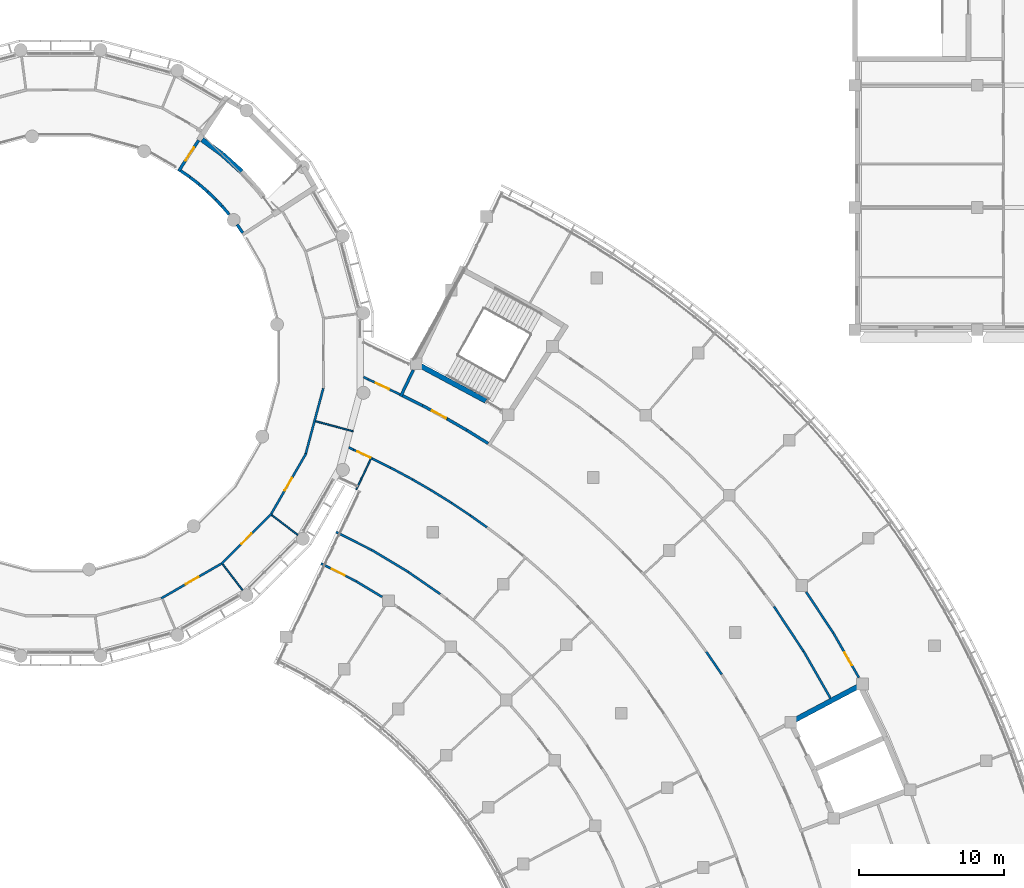
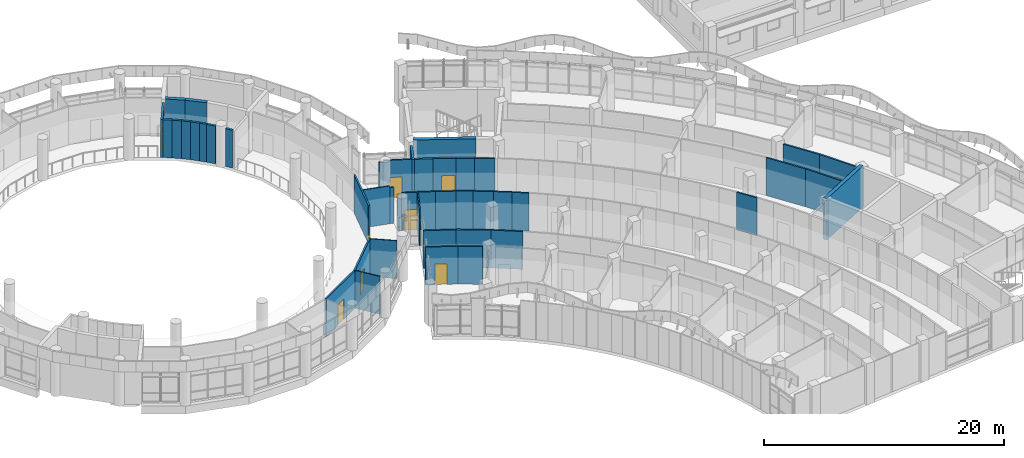
# One storey, part 50 of 109: 46 walls, 9 doors, 9 openings.
"""IFC4 building model written with IfcOpenShell, lengths in metres."""

from ifc_helpers import new_model, si_unit, direction, frame, frame_2d, origin, place, context, subcontext, project, spatial, rectangle, extrude, material, layer, layer_set, type_object, element, fill, save


model = new_model("IFC4")

# Units and contexts
model_context = context("Model", 3, precision=1e-05, world=origin(), true_north=direction((0.0, 1.0)))
body_context = subcontext(model_context, "Body", "Model", "MODEL_VIEW")
ifc_project = project(units=[si_unit("LENGTHUNIT", "METRE"), si_unit("AREAUNIT", "SQUARE_METRE"), si_unit("VOLUMEUNIT", "CUBIC_METRE"), si_unit("PLANEANGLEUNIT", "RADIAN"), si_unit("MASSUNIT", "GRAM", prefix="KILO")], contexts=[model_context])

# Site, building, storey
site_placement = place(None, origin())
site = spatial("IfcSite", under=ifc_project, at=site_placement, CompositionType="ELEMENT")
building_placement = place(site_placement, origin())
building = spatial("IfcBuilding", under=site, at=building_placement, Name="Bougainvillea Quay General Hospital", CompositionType="ELEMENT")
storey_placement = place(building_placement, frame((0.0, 0.0, 12.60009765625)))
storey = spatial("IfcBuildingStorey", under=building, at=storey_placement, Name="L02", CompositionType="ELEMENT", Elevation=12.60009765625)

# Walls
ifc_material_1 = material(Name="Gypsum board partition on steel studs", Category="steel")
ifc_layer_1 = layer(ifc_material_1, 0.10009765625)
ifc_layer_set_1 = layer_set([ifc_layer_1], Name="Gypsum board partition on steel studs")
wall_type_1 = type_object("IfcWallType", Name="Partition 100 Gypsum board partition EI 30", PredefinedType="PARTITIONING", material=ifc_layer_set_1)
for number, where, z_axis, x_axis, name in (
    (1, (123.72607421875, 62.85400390625, 0.0), (0.0, 0.0, 1.0), (0.793303213768, -0.608826749598, 0.0), "Partition 100 mm EI 30"),
    (2, (120.345947265625, 59.473876953125, 0.0), (0.0, 0.0, 1.0), (0.608947804402, -0.793210294635, 0.0), "Partition 100 mm EI 30"),
):
    element("IfcWall", number, at=place(storey_placement, frame(where, z_axis=z_axis, x_axis=x_axis)), inside=storey, type_object=wall_type_1, Name=name, PredefinedType="PARTITIONING", context=body_context, shape_type="SweptSolid", body=[
        extrude(rectangle(XDim=2.2431640625, YDim=0.10009765625, at=frame_2d((1.12158203125, 0.0))), origin(), (0.0, 0.0, 1.0), 3.849853515625),
    ])
wall_1_placement = place(storey_placement, frame((126.728515625, 69.303466796875, 0.0), z_axis=(0.0, 0.0, 1.0), x_axis=(0.965851819381, -0.25909508486, 0.0)))
element("IfcWall", 3, at=wall_1_placement, inside=storey, type_object=wall_type_1, Name="Partition 100 mm EI 30", PredefinedType="PARTITIONING", context=body_context, shape_type="SweptSolid", body=[
    extrude(rectangle(XDim=2.32275390625, YDim=0.10009765625, at=frame_2d((1.161376953125, 0.0))), origin(), (0.0, 0.0, 1.0), 3.849853515625),
])
wall_2_placement = place(storey_placement, frame((128.971923828125, 68.70166015625, 0.0), z_axis=(0.0, 0.0, 1.0), x_axis=(0.965944938819, -0.258747705633, 0.0)))
element("IfcWall", 4, at=wall_2_placement, inside=storey, type_object=wall_type_1, Name="Partition 100 mm EI 30", PredefinedType="PARTITIONING", context=body_context, shape_type="SweptSolid", body=[
    extrude(rectangle(XDim=0.35009765625, YDim=0.10009765625, at=frame_2d((0.175048828125, 0.0))), origin(), (0.0, 0.0, 1.0), 3.677978515625),
])
wall_3_placement = place(storey_placement, frame((129.52001953125, 64.60205078125, 0.0), z_axis=(0.0, 0.0, 1.0), x_axis=(0.430496224864, 0.902592377753, 0.0)))
element("IfcWall", 5, at=wall_3_placement, inside=storey, type_object=wall_type_1, Name="Partition 100 mm EI 30", PredefinedType="PARTITIONING", context=body_context, shape_type="SweptSolid", body=[
    extrude(rectangle(XDim=2.323974609375, YDim=0.10009765625, at=frame_2d((1.162109375, 0.0))), origin(), (0.0, 0.0, 1.0), 3.849853515625),
])

# Wall, opening, door
ifc_material_2 = material(Name="Gypsum board partition on steel studs, insulated", Category="steel")
ifc_layer_2 = layer(ifc_material_2, 0.14990234375)
ifc_layer_set_2 = layer_set([ifc_layer_2], Name="Gypsum board partition on steel studs, insulated")
wall_type_2 = type_object("IfcWallType", Name="Partition 150 Gypsum board partition EI 30", PredefinedType="PARTITIONING", material=ifc_layer_set_2)
wall_4_placement = place(storey_placement, frame((120.242919921875, 59.486083984375, 0.0), z_axis=(0.0, 0.0, 1.0), x_axis=(0.707131648229, 0.70708191327, 0.0)))
wall_4 = element("IfcWall", 6, at=wall_4_placement, inside=storey, type_object=wall_type_2, Name="Partition 150 mm EI 30", PredefinedType="PARTITIONING", context=body_context, shape_type="SweptSolid", body=[
    extrude(rectangle(XDim=4.908935546875, YDim=0.14990234375, at=frame_2d((2.45458984375, 0.0))), origin(), (0.0, 0.0, 1.0), 3.849853515625),
])
opening_1_placement = place(wall_4_placement, frame((1.954345703125, 0.0, 0.0)))
opening_1 = element("IfcOpeningElement", 7, at=opening_1_placement, cuts=wall_4, Name="Opening L02.248", PredefinedType="OPENING", context=body_context, shape_type="SweptSolid", body=[
    extrude(rectangle(XDim=1.0, YDim=2.10009765625, at=frame_2d((0.5, 1.050048828125))), frame((0.0, 0.0849609375, 0.0), z_axis=(0.0, -1.0, 0.0), x_axis=(1.0, 0.0, 0.0)), (0.0, 0.0, 1.0), 0.169921875),
])
ifc_material_3 = material(Name="Solid-core timber door leaf in steel frame", Category="steel")
door_type_1 = type_object("IfcDoorType", Name="Single leaf door 1000x2100 FD30S", OperationType="NOTDEFINED", PredefinedType="DOOR", material=ifc_material_3)
door_1_placement = place(opening_1_placement, frame((1.0, 0.0, 0.0), z_axis=(0.0, 0.0, 1.0), x_axis=(-1.0, 0.0, 0.0)))
door_1 = element("IfcDoor", 8, at=door_1_placement, inside=storey, type_object=door_type_1, Name="DT15 L02.248", OperationType="SINGLE_SWING_LEFT", OverallHeight=2.10009765625, OverallWidth=1.0, PredefinedType="DOOR", context=body_context, shape_type="SweptSolid", body=[
    extrude(rectangle(XDim=1.0, YDim=2.10009765625, at=frame_2d((0.5, 1.050048828125))), frame((0.0, 0.02490234375, 0.0), z_axis=(0.0, -1.0, 0.0), x_axis=(1.0, 0.0, 0.0)), (0.0, 0.0, 1.0), 0.050048828125),
])
fill(opening_1, door_1)

wall_5_placement = place(storey_placement, frame((116.110107421875, 57.12255859375, 0.0), z_axis=(0.0, 0.0, 1.0), x_axis=(0.866054481515, 0.499949632511, 0.0)))
wall_5 = element("IfcWall", 9, at=wall_5_placement, inside=storey, type_object=wall_type_2, Name="Partition 150 mm EI 30", PredefinedType="PARTITIONING", context=body_context, shape_type="SweptSolid", body=[
    extrude(rectangle(XDim=4.775390625, YDim=0.14990234375, at=frame_2d((2.3876953125, 0.0))), origin(), (0.0, 0.0, 1.0), 3.849853515625),
])
opening_2_placement = place(wall_5_placement, frame((1.9541015625, 0.0, 0.0)))
opening_2 = element("IfcOpeningElement", 10, at=opening_2_placement, cuts=wall_5, Name="Opening L02.247", PredefinedType="OPENING", context=body_context, shape_type="SweptSolid", body=[
    extrude(rectangle(XDim=1.0, YDim=2.10009765625, at=frame_2d((0.5, 1.050048828125))), frame((0.0, 0.0849609375, 0.0), z_axis=(0.0, -1.0, 0.0), x_axis=(1.0, 0.0, 0.0)), (0.0, 0.0, 1.0), 0.169921875),
])
door_2_placement = place(opening_2_placement, frame((1.0, 0.0, 0.0), z_axis=(0.0, 0.0, 1.0), x_axis=(-1.0, 0.0, 0.0)))
door_2 = element("IfcDoor", 11, at=door_2_placement, inside=storey, type_object=door_type_1, Name="DT15 L02.247", OperationType="SINGLE_SWING_LEFT", OverallHeight=2.10009765625, OverallWidth=1.0, PredefinedType="DOOR", context=body_context, shape_type="SweptSolid", body=[
    extrude(rectangle(XDim=1.0, YDim=2.10009765625, at=frame_2d((0.5, 1.050048828125))), frame((0.0, 0.02490234375, 0.0), z_axis=(0.0, -1.0, 0.0), x_axis=(1.0, 0.0, 0.0)), (0.0, 0.0, 1.0), 0.050048828125),
])
fill(opening_2, door_2)

wall_6_placement = place(storey_placement, frame((123.68994140625, 62.9541015625, 0.0), z_axis=(0.0, 0.0, 1.0), x_axis=(0.499927497117, 0.866067259297, 0.0)))
wall_6 = element("IfcWall", 12, at=wall_6_placement, inside=storey, type_object=wall_type_2, Name="Partition 150 mm EI 30", PredefinedType="PARTITIONING", context=body_context, shape_type="SweptSolid", body=[
    extrude(rectangle(XDim=4.775634765625, YDim=0.14990234375, at=frame_2d((2.3876953125, 0.0))), origin(), (0.0, 0.0, 1.0), 3.849853515625),
])
opening_3_placement = place(wall_6_placement, frame((1.8212890625, 0.0, 0.0)))
opening_3 = element("IfcOpeningElement", 13, at=opening_3_placement, cuts=wall_6, Name="Opening L02.249", PredefinedType="OPENING", context=body_context, shape_type="SweptSolid", body=[
    extrude(rectangle(XDim=1.0, YDim=2.10009765625, at=frame_2d((0.5, 1.050048828125))), frame((0.0, 0.0849609375, 0.0), z_axis=(0.0, -1.0, 0.0), x_axis=(1.0, 0.0, 0.0)), (0.0, 0.0, 1.0), 0.169921875),
])
door_3_placement = place(opening_3_placement, frame((1.0, 0.0, 0.0), z_axis=(0.0, 0.0, 1.0), x_axis=(-1.0, 0.0, 0.0)))
door_3 = element("IfcDoor", 14, at=door_3_placement, inside=storey, type_object=door_type_1, Name="DT15 L02.249", OperationType="SINGLE_SWING_RIGHT", OverallHeight=2.10009765625, OverallWidth=1.0, PredefinedType="DOOR", context=body_context, shape_type="SweptSolid", body=[
    extrude(rectangle(XDim=1.0, YDim=2.10009765625, at=frame_2d((0.5, 1.050048828125))), frame((0.0, 0.02490234375, 0.0), z_axis=(0.0, -1.0, 0.0), x_axis=(1.0, 0.0, 0.0)), (0.0, 0.0, 1.0), 0.050048828125),
])
fill(opening_3, door_3)

# Wall
wall_7_placement = place(storey_placement, frame((126.054931640625, 67.0810546875, 0.0), z_axis=(0.0, 0.0, 1.0), x_axis=(0.259011275585, 0.965874297784, 0.0)))
element("IfcWall", 15, at=wall_7_placement, inside=storey, type_object=wall_type_2, Name="Partition 150 mm EI 30", PredefinedType="PARTITIONING", context=body_context, shape_type="SweptSolid", body=[
    extrude(rectangle(XDim=4.641357421875, YDim=0.14990234375, at=frame_2d((2.32080078125, 0.0))), origin(), (0.0, 0.0, 1.0), 3.849853515625),
])

# Wall, opening, door
wall_8_placement = place(storey_placement, frame((162.312744140625, 54.758056640625, 0.0), z_axis=(0.0, 0.0, 1.0), x_axis=(0.496582798362, -0.867989357291, 0.0)))
wall_8 = element("IfcWall", 16, at=wall_8_placement, inside=storey, type_object=wall_type_2, Name="Partition 150 mm EI 30", PredefinedType="PARTITIONING", context=body_context, shape_type="SweptSolid", body=[
    extrude(rectangle(XDim=3.553466796875, YDim=0.14990234375, at=frame_2d((1.77685546875, 0.0))), origin(), (0.0, 0.0, 1.0), 3.849853515625),
])
opening_4_placement = place(wall_8_placement, frame((1.56591796875, 0.0, 0.0)))
opening_4 = element("IfcOpeningElement", 17, at=opening_4_placement, cuts=wall_8, Name="Opening L02.224", PredefinedType="OPENING", context=body_context, shape_type="SweptSolid", body=[
    extrude(rectangle(XDim=1.0, YDim=2.10009765625, at=frame_2d((0.5, 1.050048828125))), frame((0.0, 0.0849609375, 0.0), z_axis=(0.0, -1.0, 0.0), x_axis=(1.0, 0.0, 0.0)), (0.0, 0.0, 1.0), 0.169921875),
])
door_4_placement = place(opening_4_placement, origin())
door_4 = element("IfcDoor", 18, at=door_4_placement, inside=storey, type_object=door_type_1, Name="DT15 L02.224", OperationType="SINGLE_SWING_RIGHT", OverallHeight=2.10009765625, OverallWidth=1.0, PredefinedType="DOOR", context=body_context, shape_type="SweptSolid", body=[
    extrude(rectangle(XDim=1.0, YDim=2.10009765625, at=frame_2d((0.5, 1.050048828125))), frame((0.0, 0.02490234375, 0.0), z_axis=(0.0, -1.0, 0.0), x_axis=(1.0, 0.0, 0.0)), (0.0, 0.0, 1.0), 0.050048828125),
])
fill(opening_4, door_4)

# Walls
wall_9_placement = place(storey_placement, frame((160.44775390625, 57.575439453125, 0.0), z_axis=(0.0, 0.0, 1.0), x_axis=(0.550814058929, -0.834627984485, 0.0)))
element("IfcWall", 19, at=wall_9_placement, inside=storey, type_object=wall_type_2, Name="Partition 150 mm EI 30", PredefinedType="PARTITIONING", context=body_context, shape_type="SweptSolid", body=[
    extrude(rectangle(XDim=3.38330078125, YDim=0.14990234375, at=frame_2d((1.691650390625, 0.0))), origin(), (0.0, 0.0, 1.0), 3.849853515625),
])
wall_10_placement = place(storey_placement, frame((160.268798828125, 53.501220703125, 0.0), z_axis=(0.0, 0.0, 1.0), x_axis=(0.496371795626, -0.8681100394, 0.0)))
element("IfcWall", 20, at=wall_10_placement, inside=storey, type_object=wall_type_2, Name="Partition 150 mm EI 30", PredefinedType="PARTITIONING", context=body_context, shape_type="SweptSolid", body=[
    extrude(rectangle(XDim=3.725830078125, YDim=0.14990234375, at=frame_2d((1.86279296875, 0.0))), origin(), (0.0, 0.0, 1.0), 3.849853515625),
])
wall_11_placement = place(storey_placement, frame((158.23583984375, 56.5712890625, 0.0), z_axis=(0.0, 0.0, 1.0), x_axis=(0.550996276136, -0.834507701393, 0.0)))
element("IfcWall", 21, at=wall_11_placement, inside=storey, type_object=wall_type_2, Name="Partition 150 mm EI 30", PredefinedType="PARTITIONING", context=body_context, shape_type="SweptSolid", body=[
    extrude(rectangle(XDim=3.6865234375, YDim=0.14990234375, at=frame_2d((1.84326171875, 0.0))), origin(), (0.0, 0.0, 1.0), 3.849853515625),
])
wall_12_placement = place(storey_placement, frame((130.02001953125, 72.341064453125, 0.0), z_axis=(0.0, 0.0, 1.0), x_axis=(0.902370112598, -0.430961923945, 0.0)))
element("IfcWall", 22, at=wall_12_placement, inside=storey, type_object=wall_type_2, Name="Partition 150 mm EI 30", PredefinedType="PARTITIONING", context=body_context, shape_type="SweptSolid", body=[
    extrude(rectangle(XDim=0.35009765625, YDim=0.14990234375, at=frame_2d((0.175048828125, 0.0))), origin(), (0.0, 0.0, 1.0), 3.677978515625),
])

# Wall, opening, door
wall_13_placement = place(storey_placement, frame((130.3359375, 72.190185546875, 0.0), z_axis=(0.0, 0.0, 1.0), x_axis=(0.902631912759, -0.430413324688, 0.0)))
wall_13 = element("IfcWall", 23, at=wall_13_placement, inside=storey, type_object=wall_type_2, Name="Partition 150 mm EI 30", PredefinedType="PARTITIONING", context=body_context, shape_type="SweptSolid", body=[
    extrude(rectangle(XDim=2.429443359375, YDim=0.14990234375, at=frame_2d((1.21484375, 0.0))), origin(), (0.0, 0.0, 1.0), 3.849853515625),
])
opening_5_placement = place(wall_13_placement, frame((0.59033203125, 0.0, 0.0)))
opening_5 = element("IfcOpeningElement", 24, at=opening_5_placement, cuts=wall_13, Name="Opening L02.237", PredefinedType="OPENING", context=body_context, shape_type="SweptSolid", body=[
    extrude(rectangle(XDim=1.0, YDim=2.10009765625, at=frame_2d((0.5, 1.050048828125))), frame((0.0, 0.0849609375, 0.0), z_axis=(0.0, -1.0, 0.0), x_axis=(1.0, 0.0, 0.0)), (0.0, 0.0, 1.0), 0.169921875),
])
door_5_placement = place(opening_5_placement, origin())
door_5 = element("IfcDoor", 25, at=door_5_placement, inside=storey, type_object=door_type_1, Name="DT15 L02.237", OperationType="SINGLE_SWING_LEFT", OverallHeight=2.10009765625, OverallWidth=1.0, PredefinedType="DOOR", context=body_context, shape_type="SweptSolid", body=[
    extrude(rectangle(XDim=1.0, YDim=2.10009765625, at=frame_2d((0.5, 1.050048828125))), frame((0.0, 0.02490234375, 0.0), z_axis=(0.0, -1.0, 0.0), x_axis=(1.0, 0.0, 0.0)), (0.0, 0.0, 1.0), 0.050048828125),
])
fill(opening_5, door_5)

# Walls
wall_14_placement = place(storey_placement, frame((130.57177734375, 60.463623046875, 0.0), z_axis=(0.0, 0.0, 1.0), x_axis=(0.857369075188, -0.514702116676, 0.0)))
element("IfcWall", 26, at=wall_14_placement, inside=storey, type_object=wall_type_2, Name="Partition 150 mm EI 30", PredefinedType="PARTITIONING", context=body_context, shape_type="SweptSolid", body=[
    extrude(rectangle(XDim=2.95751953125, YDim=0.14990234375, at=frame_2d((1.478759765625, 0.0))), origin(), (0.0, 0.0, 1.0), 3.849853515625),
])
wall_15_placement = place(storey_placement, frame((133.100830078125, 58.93994140625, 0.0), z_axis=(0.0, 0.0, 1.0), x_axis=(0.822620530797, -0.568590768754, 0.0)))
element("IfcWall", 27, at=wall_15_placement, inside=storey, type_object=wall_type_2, Name="Partition 150 mm EI 30", PredefinedType="PARTITIONING", context=body_context, shape_type="SweptSolid", body=[
    extrude(rectangle(XDim=2.666015625, YDim=0.14990234375, at=frame_2d((1.3330078125, 0.0))), origin(), (0.0, 0.0, 1.0), 3.849853515625),
])
wall_16_placement = place(storey_placement, frame((128.132080078125, 61.69189453125, 0.0), z_axis=(0.0, 0.0, 1.0), x_axis=(0.892275475515, -0.45149139061, 0.0)))
element("IfcWall", 28, at=wall_16_placement, inside=storey, type_object=wall_type_2, Name="Partition 150 mm EI 30", PredefinedType="PARTITIONING", context=body_context, shape_type="SweptSolid", body=[
    extrude(rectangle(XDim=2.736083984375, YDim=0.14990234375, at=frame_2d((1.3681640625, 0.0))), origin(), (0.0, 0.0, 1.0), 3.849853515625),
])

# Wall, opening, door
wall_17_placement = place(storey_placement, frame((127.09912109375, 59.527099609375, 0.0), z_axis=(0.0, 0.0, 1.0), x_axis=(0.892287657908, -0.451467313928, 0.0)))
wall_17 = element("IfcWall", 29, at=wall_17_placement, inside=storey, type_object=wall_type_2, Name="Partition 150 mm EI 30", PredefinedType="PARTITIONING", context=body_context, shape_type="SweptSolid", body=[
    extrude(rectangle(XDim=2.728759765625, YDim=0.14990234375, at=frame_2d((1.3642578125, 0.0))), origin(), (0.0, 0.0, 1.0), 3.849853515625),
])
opening_6_placement = place(wall_17_placement, frame((0.826904296875, 0.0, 0.0)))
opening_6 = element("IfcOpeningElement", 30, at=opening_6_placement, cuts=wall_17, Name="Opening L02.227", PredefinedType="OPENING", context=body_context, shape_type="SweptSolid", body=[
    extrude(rectangle(XDim=1.0, YDim=2.10009765625, at=frame_2d((0.5, 1.050048828125))), frame((0.0, 0.0849609375, 0.0), z_axis=(0.0, -1.0, 0.0), x_axis=(1.0, 0.0, 0.0)), (0.0, 0.0, 1.0), 0.169921875),
])
door_6_placement = place(opening_6_placement, frame((1.0, 0.0, 0.0), z_axis=(0.0, 0.0, 1.0), x_axis=(-1.0, 0.0, 0.0)))
door_6 = element("IfcDoor", 31, at=door_6_placement, inside=storey, type_object=door_type_1, Name="DT15 L02.227", OperationType="SINGLE_SWING_RIGHT", OverallHeight=2.10009765625, OverallWidth=1.0, PredefinedType="DOOR", context=body_context, shape_type="SweptSolid", body=[
    extrude(rectangle(XDim=1.0, YDim=2.10009765625, at=frame_2d((0.5, 1.050048828125))), frame((0.0, 0.02490234375, 0.0), z_axis=(0.0, -1.0, 0.0), x_axis=(1.0, 0.0, 0.0)), (0.0, 0.0, 1.0), 0.050048828125),
])
fill(opening_6, door_6)

# Walls
wall_18_placement = place(storey_placement, frame((129.52685546875, 58.29296875, 0.0), z_axis=(0.0, 0.0, 1.0), x_axis=(0.8573370195, -0.514755509922, 0.0)))
element("IfcWall", 32, at=wall_18_placement, inside=storey, type_object=wall_type_2, Name="Partition 150 mm EI 30", PredefinedType="PARTITIONING", context=body_context, shape_type="SweptSolid", body=[
    extrude(rectangle(XDim=2.072998046875, YDim=0.14990234375, at=frame_2d((1.03662109375, 0.0))), origin(), (0.0, 0.0, 1.0), 3.849853515625),
])
wall_19_placement = place(storey_placement, frame((153.581787109375, 53.4599609375, 0.0), z_axis=(0.0, 0.0, 1.0), x_axis=(0.564047793024, -0.825742143277, 0.0)))
element("IfcWall", 33, at=wall_19_placement, inside=storey, type_object=wall_type_2, Name="Partition 150 mm EI 30", PredefinedType="PARTITIONING", context=body_context, shape_type="SweptSolid", body=[
    extrude(rectangle(XDim=1.885498046875, YDim=0.14990234375, at=frame_2d((0.94287109375, 0.0))), origin(), (0.0, 0.0, 1.0), 3.849853515625),
])
wall_20_placement = place(storey_placement, frame((129.012939453125, 67.5029296875, 0.0), z_axis=(0.0, 0.0, 1.0), x_axis=(0.902641205527, -0.43039383602, 0.0)))
element("IfcWall", 34, at=wall_20_placement, inside=storey, type_object=wall_type_2, Name="Partition 150 mm EI 30", PredefinedType="PARTITIONING", context=body_context, shape_type="SweptSolid", body=[
    extrude(rectangle(XDim=0.35009765625, YDim=0.14990234375, at=frame_2d((0.175048828125, 0.0))), origin(), (0.0, 0.0, 1.0), 3.677978515625),
])

# Wall, opening, door
wall_21_placement = place(storey_placement, frame((129.328857421875, 67.352294921875, 0.0), z_axis=(0.0, 0.0, 1.0), x_axis=(0.902431306123, -0.430833770415, 0.0)))
wall_21 = element("IfcWall", 35, at=wall_21_placement, inside=storey, type_object=wall_type_2, Name="Partition 150 mm EI 30", PredefinedType="PARTITIONING", context=body_context, shape_type="SweptSolid", body=[
    extrude(rectangle(XDim=1.431396484375, YDim=0.14990234375, at=frame_2d((0.7158203125, 0.0))), origin(), (0.0, 0.0, 1.0), 3.849853515625),
])
opening_7_placement = place(wall_21_placement, frame((0.30322265625, 0.0, 0.0)))
opening_7 = element("IfcOpeningElement", 36, at=opening_7_placement, cuts=wall_21, Name="Opening L02.236", PredefinedType="OPENING", context=body_context, shape_type="SweptSolid", body=[
    extrude(rectangle(XDim=1.0, YDim=2.10009765625, at=frame_2d((0.5, 1.050048828125))), frame((0.0, 0.0849609375, 0.0), z_axis=(0.0, -1.0, 0.0), x_axis=(1.0, 0.0, 0.0)), (0.0, 0.0, 1.0), 0.169921875),
])
door_7_placement = place(opening_7_placement, frame((1.0, 0.0, 0.0), z_axis=(0.0, 0.0, 1.0), x_axis=(-1.0, 0.0, 0.0)))
door_7 = element("IfcDoor", 37, at=door_7_placement, inside=storey, type_object=door_type_1, Name="DT15 L02.236", OperationType="SINGLE_SWING_LEFT", OverallHeight=2.10009765625, OverallWidth=1.0, PredefinedType="DOOR", context=body_context, shape_type="SweptSolid", body=[
    extrude(rectangle(XDim=1.0, YDim=2.10009765625, at=frame_2d((0.5, 1.050048828125))), frame((0.0, 0.02490234375, 0.0), z_axis=(0.0, -1.0, 0.0), x_axis=(1.0, 0.0, 0.0)), (0.0, 0.0, 1.0), 0.050048828125),
])
fill(opening_7, door_7)

# Walls
wall_22_placement = place(storey_placement, frame((134.609375, 64.597412109375, 0.0), z_axis=(0.0, 0.0, 1.0), x_axis=(0.849799037667, -0.527106816102, 0.0)))
element("IfcWall", 38, at=wall_22_placement, inside=storey, type_object=wall_type_2, Name="Partition 150 mm EI 30", PredefinedType="PARTITIONING", context=body_context, shape_type="SweptSolid", body=[
    extrude(rectangle(XDim=1.708984375, YDim=0.14990234375, at=frame_2d((0.8544921875, 0.0))), origin(), (0.0, 0.0, 1.0), 3.849853515625),
])
wall_23_placement = place(storey_placement, frame((131.8828125, 66.110595703125, 0.0), z_axis=(0.0, 0.0, 1.0), x_axis=(0.881203803206, -0.472736562174, 0.0)))
element("IfcWall", 39, at=wall_23_placement, inside=storey, type_object=wall_type_2, Name="Partition 150 mm EI 30", PredefinedType="PARTITIONING", context=body_context, shape_type="SweptSolid", body=[
    extrude(rectangle(XDim=1.70947265625, YDim=0.14990234375, at=frame_2d((0.854736328125, 0.0))), origin(), (0.0, 0.0, 1.0), 3.849853515625),
])
wall_24_placement = place(storey_placement, frame((133.385986328125, 65.301513671875, 0.0), z_axis=(0.0, 0.0, 1.0), x_axis=(0.865938212252, -0.500150989765, 0.0)))
element("IfcWall", 40, at=wall_24_placement, inside=storey, type_object=wall_type_2, Name="Partition 150 mm EI 30", PredefinedType="PARTITIONING", context=body_context, shape_type="SweptSolid", body=[
    extrude(rectangle(XDim=1.41357421875, YDim=0.14990234375, at=frame_2d((0.706787109375, 0.0))), origin(), (0.0, 0.0, 1.0), 3.849853515625),
])
wall_25_placement = place(storey_placement, frame((136.05859375, 63.69580078125, 0.0), z_axis=(0.0, 0.0, 1.0), x_axis=(0.832723443957, -0.553689141925, 0.0)))
element("IfcWall", 41, at=wall_25_placement, inside=storey, type_object=wall_type_2, Name="Partition 150 mm EI 30", PredefinedType="PARTITIONING", context=body_context, shape_type="SweptSolid", body=[
    extrude(rectangle(XDim=1.560791015625, YDim=0.14990234375, at=frame_2d((0.7802734375, 0.0))), origin(), (0.0, 0.0, 1.0), 3.849853515625),
])
wall_26_placement = place(storey_placement, frame((130.62109375, 66.734130859375, 0.0), z_axis=(0.0, 0.0, 1.0), x_axis=(0.895739562296, -0.444579167907, 0.0)))
element("IfcWall", 42, at=wall_26_placement, inside=storey, type_object=wall_type_2, Name="Partition 150 mm EI 30", PredefinedType="PARTITIONING", context=body_context, shape_type="SweptSolid", body=[
    extrude(rectangle(XDim=1.40966796875, YDim=0.14990234375, at=frame_2d((0.704833984375, 0.0))), origin(), (0.0, 0.0, 1.0), 3.849853515625),
])
wall_27_placement = place(storey_placement, frame((137.355224609375, 62.830810546875, 0.0), z_axis=(0.0, 0.0, 1.0), x_axis=(0.815004293048, -0.579454918276, 0.0)))
element("IfcWall", 43, at=wall_27_placement, inside=storey, type_object=wall_type_2, Name="Partition 150 mm EI 30", PredefinedType="PARTITIONING", context=body_context, shape_type="SweptSolid", body=[
    extrude(rectangle(XDim=1.41259765625, YDim=0.14990234375, at=frame_2d((0.706298828125, 0.0))), origin(), (0.0, 0.0, 1.0), 3.849853515625),
])

# Wall, opening, door
ifc_material_4 = material(Name="Fire-rated autoclaved aerated block wall, plastered")
ifc_layer_3 = layer(ifc_material_4, 0.199951171875)
ifc_layer_set_3 = layer_set([ifc_layer_3], Name="Fire-rated autoclaved aerated block wall, plastered")
wall_type_3 = type_object("IfcWallType", Name="Partition 200 Fire-rated autoclaved aerated block wall EI 120", PredefinedType="SOLIDWALL", material=ifc_layer_set_3)
wall_28_placement = place(storey_placement, frame((117.3154296875, 86.49609375, 0.0), z_axis=(0.0, 0.0, 1.0), x_axis=(0.544553338247, 0.838726213853, 0.0)))
wall_28 = element("IfcWall", 44, at=wall_28_placement, inside=storey, type_object=wall_type_3, Name="Partition 200 mm EI 120", PredefinedType="SOLIDWALL", context=body_context, shape_type="SweptSolid", body=[
    extrude(rectangle(XDim=2.525390625, YDim=0.199951171875, at=frame_2d((1.2626953125, 0.0))), origin(), (0.0, 0.0, 1.0), 3.849853515625),
])
opening_8_placement = place(wall_28_placement, frame((0.85009765625, 0.0, 0.0)))
opening_8 = element("IfcOpeningElement", 45, at=opening_8_placement, cuts=wall_28, Name="Opening L02.278", PredefinedType="OPENING", context=body_context, shape_type="SweptSolid", body=[
    extrude(rectangle(XDim=1.10009765625, YDim=2.10009765625, at=frame_2d((0.550048828125, 1.050048828125))), frame((0.0, 0.10986328125, 0.0), z_axis=(0.0, -1.0, 0.0), x_axis=(1.0, 0.0, 0.0)), (0.0, 0.0, 1.0), 0.219970703125),
])
door_type_2 = type_object("IfcDoorType", Name="Single leaf door 1100x2100 FD60", OperationType="NOTDEFINED", PredefinedType="DOOR", material=ifc_material_3)
door_8_placement = place(opening_8_placement, frame((1.10009765625, 0.0, 0.0), z_axis=(0.0, 0.0, 1.0), x_axis=(-1.0, 0.0, 0.0)))
door_8 = element("IfcDoor", 46, at=door_8_placement, inside=storey, type_object=door_type_2, Name="DT19 L02.278", OperationType="SINGLE_SWING_LEFT", OverallHeight=2.10009765625, OverallWidth=1.10009765625, PredefinedType="DOOR", context=body_context, shape_type="SweptSolid", body=[
    extrude(rectangle(XDim=1.10009765625, YDim=2.10009765625, at=frame_2d((0.550048828125, 1.050048828125))), frame((0.0, 0.02490234375, 0.0), z_axis=(0.0, -1.0, 0.0), x_axis=(1.0, 0.0, 0.0)), (0.0, 0.0, 1.0), 0.050048828125),
])
fill(opening_8, door_8)

# Walls
wall_29_placement = place(storey_placement, frame((132.576904296875, 71.0107421875, 0.0), z_axis=(0.0, 0.0, 1.0), x_axis=(0.430518201576, 0.902581895515, 0.0)))
element("IfcWall", 47, at=wall_29_placement, inside=storey, type_object=wall_type_3, Name="Partition 200 mm EI 120", PredefinedType="SOLIDWALL", context=body_context, shape_type="SweptSolid", body=[
    extrude(rectangle(XDim=2.009765625, YDim=0.199951171875, at=frame_2d((1.0048828125, 0.0))), origin(), (0.0, 0.0, 1.0), 3.849853515625),
])
wall_30_placement = place(storey_placement, frame((137.1201171875, 68.69091796875, 0.0), z_axis=(0.0, 0.0, 1.0), x_axis=(0.849072037542, -0.528277081714, 0.0)))
element("IfcWall", 48, at=wall_30_placement, inside=storey, type_object=wall_type_3, Name="Partition 200 mm EI 120", PredefinedType="SOLIDWALL", context=body_context, shape_type="SweptSolid", body=[
    extrude(rectangle(XDim=1.734375, YDim=0.199951171875, at=frame_2d((0.8671875, 0.0))), origin(), (0.0, 0.0, 1.0), 3.849853515625),
])

# Wall, opening, door
wall_31_placement = place(storey_placement, frame((134.0859375, 70.37646484375, 0.0), z_axis=(0.0, 0.0, 1.0), x_axis=(0.880766540035, -0.473550738521, 0.0)))
wall_31 = element("IfcWall", 49, at=wall_31_placement, inside=storey, type_object=wall_type_3, Name="Partition 200 mm EI 120", PredefinedType="SOLIDWALL", context=body_context, shape_type="SweptSolid", body=[
    extrude(rectangle(XDim=1.935791015625, YDim=0.199951171875, at=frame_2d((0.9677734375, 0.0))), origin(), (0.0, 0.0, 1.0), 3.849853515625),
])
opening_9_placement = place(wall_31_placement, frame((0.736083984375, 0.0, 0.0)))
opening_9 = element("IfcOpeningElement", 50, at=opening_9_placement, cuts=wall_31, Name="Opening L02.270", PredefinedType="OPENING", context=body_context, shape_type="SweptSolid", body=[
    extrude(rectangle(XDim=1.10009765625, YDim=2.10009765625, at=frame_2d((0.550048828125, 1.050048828125))), frame((0.0, 0.10986328125, 0.0), z_axis=(0.0, -1.0, 0.0), x_axis=(1.0, 0.0, 0.0)), (0.0, 0.0, 1.0), 0.219970703125),
])
ifc_material_5 = material(Name="Steel fire door leaf in steel frame", Category="steel")
door_type_3 = type_object("IfcDoorType", Name="Steel single leaf door 1100x2100 FD60", OperationType="NOTDEFINED", PredefinedType="DOOR", material=ifc_material_5)
door_9_placement = place(opening_9_placement, origin())
door_9 = element("IfcDoor", 51, at=door_9_placement, inside=storey, type_object=door_type_3, Name="DT04 L02.270", OperationType="SINGLE_SWING_RIGHT", OverallHeight=2.10009765625, OverallWidth=1.10009765625, PredefinedType="DOOR", context=body_context, shape_type="SweptSolid", body=[
    extrude(rectangle(XDim=1.10009765625, YDim=2.10009765625, at=frame_2d((0.550048828125, 1.050048828125))), frame((0.0, 0.02490234375, 0.0), z_axis=(0.0, -1.0, 0.0), x_axis=(1.0, 0.0, 0.0)), (0.0, 0.0, 1.0), 0.050048828125),
])
fill(opening_9, door_9)

# Walls
wall_32_placement = place(storey_placement, frame((135.786865234375, 69.45849609375, 0.0), z_axis=(0.0, 0.0, 1.0), x_axis=(0.865559992514, -0.50080525093, 0.0)))
element("IfcWall", 52, at=wall_32_placement, inside=storey, type_object=wall_type_3, Name="Partition 200 mm EI 120", PredefinedType="SOLIDWALL", context=body_context, shape_type="SweptSolid", body=[
    extrude(rectangle(XDim=1.54150390625, YDim=0.199951171875, at=frame_2d((0.770751953125, 0.0))), origin(), (0.0, 0.0, 1.0), 3.849853515625),
])
wall_33_placement = place(storey_placement, frame((132.7109375, 71.055908203125, 0.0), z_axis=(0.0, 0.0, 1.0), x_axis=(0.895536498634, -0.444988066822, 0.0)))
element("IfcWall", 53, at=wall_33_placement, inside=storey, type_object=wall_type_3, Name="Partition 200 mm EI 120", PredefinedType="SOLIDWALL", context=body_context, shape_type="SweptSolid", body=[
    extrude(rectangle(XDim=1.536865234375, YDim=0.199951171875, at=frame_2d((0.7685546875, 0.0))), origin(), (0.0, 0.0, 1.0), 3.849853515625),
])
wall_34_placement = place(storey_placement, frame((121.334716796875, 82.8173828125, 0.0), z_axis=(0.0, 0.0, 1.0), x_axis=(0.56675458302, -0.823886668557, 0.0)))
element("IfcWall", 54, at=wall_34_placement, inside=storey, type_object=wall_type_3, Name="Partition 200 mm EI 120", PredefinedType="SOLIDWALL", context=body_context, shape_type="SweptSolid", body=[
    extrude(rectangle(XDim=0.6884765625, YDim=0.199951171875, at=frame_2d((0.34423828125, 0.0))), origin(), (0.0, 0.0, 1.0), 3.849853515625),
])
wall_35_placement = place(storey_placement, frame((117.4501953125, 86.52490234375, 0.0), z_axis=(0.0, 0.0, 1.0), x_axis=(0.823906287356, -0.566726062269, 0.0)))
element("IfcWall", 55, at=wall_35_placement, inside=storey, type_object=wall_type_3, Name="Partition 200 mm EI 120", PredefinedType="SOLIDWALL", context=body_context, shape_type="SweptSolid", body=[
    extrude(rectangle(XDim=0.787841796875, YDim=0.199951171875, at=frame_2d((0.39404296875, 0.0))), origin(), (0.0, 0.0, 1.0), 3.849853515625),
])
for number, where, z_axis, x_axis, name in (
    (56, (118.09228515625, 86.0771484375, 0.0), (0.0, 0.0, 1.0), (0.793427303362, -0.608665026333, 0.0), "Partition 200 mm EI 120"),
    (57, (120.281982421875, 84.113037109375, 0.0), (0.0, 0.0, 1.0), (0.649645835292, -0.76023699508, 0.0), "Partition 200 mm EI 120"),
):
    element("IfcWall", number, at=place(storey_placement, frame(where, z_axis=z_axis, x_axis=x_axis)), inside=storey, type_object=wall_type_3, Name=name, PredefinedType="SOLIDWALL", context=body_context, shape_type="SweptSolid", body=[
        extrude(rectangle(XDim=0.790283203125, YDim=0.199951171875, at=frame_2d((0.39501953125, 0.0))), origin(), (0.0, 0.0, 1.0), 3.849853515625),
    ])
wall_36_placement = place(storey_placement, frame((118.712158203125, 85.59521484375, 0.0), z_axis=(0.0, 0.0, 1.0), x_axis=(0.760389572583, -0.649467241597, 0.0)))
element("IfcWall", 58, at=wall_36_placement, inside=storey, type_object=wall_type_3, Name="Partition 200 mm EI 120", PredefinedType="SOLIDWALL", context=body_context, shape_type="SweptSolid", body=[
    extrude(rectangle(XDim=0.7900390625, YDim=0.199951171875, at=frame_2d((0.39501953125, 0.0))), origin(), (0.0, 0.0, 1.0), 3.849853515625),
])
wall_37_placement = place(storey_placement, frame((119.305908203125, 85.08154296875, 0.0), z_axis=(0.0, 0.0, 1.0), x_axis=(0.726001390363, -0.687693231893, 0.0)))
element("IfcWall", 59, at=wall_37_placement, inside=storey, type_object=wall_type_3, Name="Partition 200 mm EI 120", PredefinedType="SOLIDWALL", context=body_context, shape_type="SweptSolid", body=[
    extrude(rectangle(XDim=0.790283203125, YDim=0.199951171875, at=frame_2d((0.39501953125, 0.0))), origin(), (0.0, 0.0, 1.0), 3.849853515625),
])
wall_38_placement = place(storey_placement, frame((119.872314453125, 84.5380859375, 0.0), z_axis=(0.0, 0.0, 1.0), x_axis=(0.687562563481, -0.726125141624, 0.0)))
element("IfcWall", 60, at=wall_38_placement, inside=storey, type_object=wall_type_3, Name="Partition 200 mm EI 120", PredefinedType="SOLIDWALL", context=body_context, shape_type="SweptSolid", body=[
    extrude(rectangle(XDim=0.59521484375, YDim=0.199951171875, at=frame_2d((0.297607421875, 0.0))), origin(), (0.0, 0.0, 1.0), 3.849853515625),
])
ifc_material_6 = material(Name="Concrete C40", Category="concrete")
ifc_layer_4 = layer(ifc_material_6, 0.35009765625)
ifc_layer_set_4 = layer_set([ifc_layer_4], Name="Concrete C40")
wall_type_4 = type_object("IfcWallType", Name="RC SHEAR WALL 350 C40", PredefinedType="SHEAR", material=ifc_layer_set_4)
wall_39_placement = place(storey_placement, frame((118.927490234375, 88.658203125, 0.0), z_axis=(0.0, 0.0, 1.0), x_axis=(0.808869786542, -0.587987813155, 0.0)))
element("IfcWall", 61, at=wall_39_placement, inside=storey, type_object=wall_type_4, Name="Shear wall L02", PredefinedType="SHEAR", context=body_context, shape_type="SweptSolid", body=[
    extrude(rectangle(XDim=1.657958984375, YDim=0.35009765625, at=frame_2d((0.8291015625, 0.0))), origin(), (0.0, 0.0, 1.0), 4.199951171875),
])
wall_40_placement = place(storey_placement, frame((120.28271484375, 87.671875, 0.0), z_axis=(0.0, 0.0, 1.0), x_axis=(0.743081147279, -0.669201321397, 0.0)))
element("IfcWall", 62, at=wall_40_placement, inside=storey, type_object=wall_type_4, Name="Shear wall L02", PredefinedType="SHEAR", context=body_context, shape_type="SweptSolid", body=[
    extrude(rectangle(XDim=1.82421875, YDim=0.35009765625, at=frame_2d((0.912109375, 0.0))), origin(), (0.0, 0.0, 1.0), 4.199951171875),
])
wall_41_placement = place(storey_placement, frame((138.43603515625, 70.69775390625, 0.0), z_axis=(0.0, 0.0, 1.0), x_axis=(-0.880959996263, 0.473190749048, 0.0)))
element("IfcWall", 63, at=wall_41_placement, inside=storey, type_object=wall_type_4, Name="Shear wall L02", PredefinedType="SHEAR", context=body_context, shape_type="SweptSolid", body=[
    extrude(rectangle(XDim=5.25439453125, YDim=0.35009765625, at=frame_2d((2.627197265625, 0.0))), origin(), (0.0, 0.0, 1.0), 4.199951171875),
])
wall_42_placement = place(storey_placement, frame((159.224365234375, 48.531005859375, 0.0), z_axis=(0.0, 0.0, 1.0), x_axis=(0.883393138637, 0.468632652094, 0.0)))
element("IfcWall", 64, at=wall_42_placement, inside=storey, type_object=wall_type_4, Name="Shear wall L02", PredefinedType="SHEAR", context=body_context, shape_type="SweptSolid", body=[
    extrude(rectangle(XDim=5.7509765625, YDim=0.35009765625, at=frame_2d((2.87548828125, 0.0))), origin(), (0.0, 0.0, 1.0), 4.199951171875),
])

save(model, "model.ifc")
